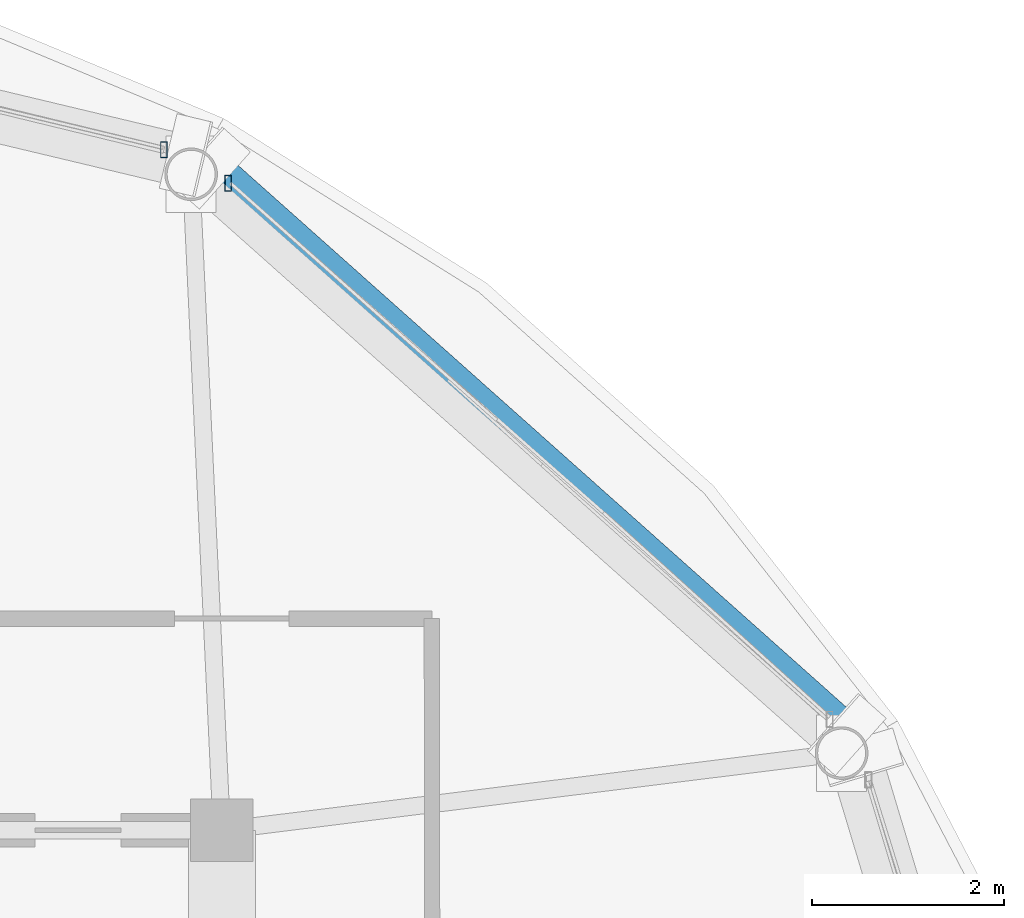
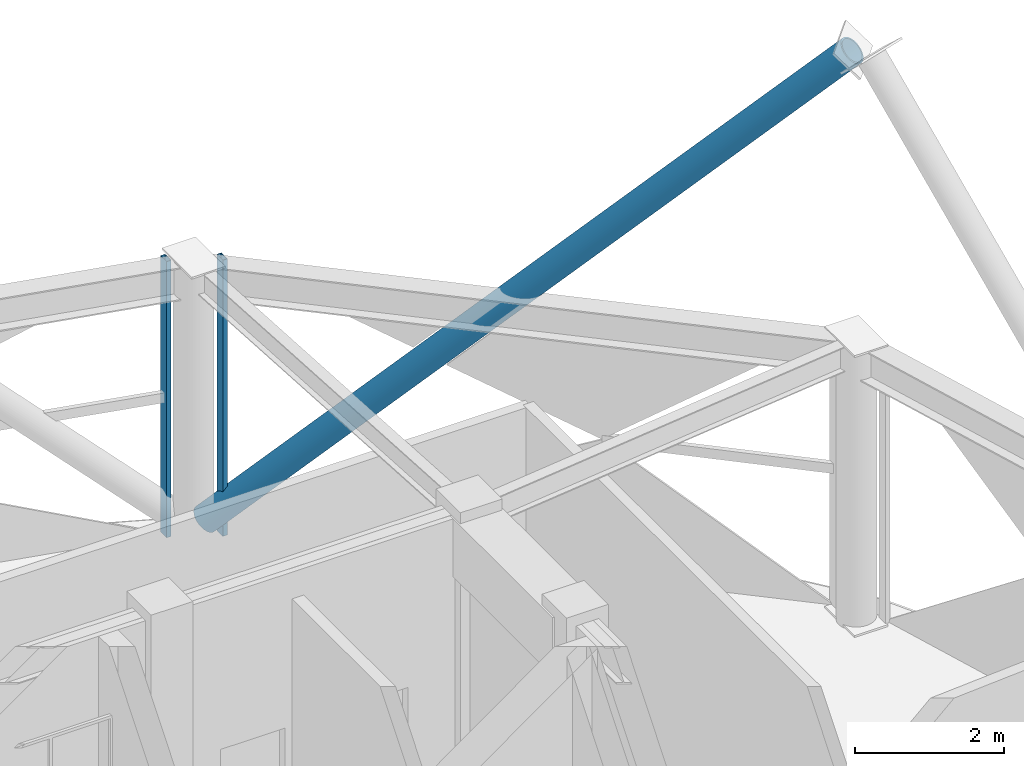
# One storey, part 13 of 27: 3 members, 2 elements without a shape of their own.
"""IFC4 building model written with IfcOpenShell, lengths in metres."""

from ifc_helpers import new_model, si_unit, direction, frame, origin, origin_2d, place, context, subcontext, project, spatial, hollow_rectangle, hollow_circle, extrude, material, layer, layer_set, material_profile, profile_set, type_object, element, aggregate, save


model = new_model("IFC4")

# Units and contexts
model_context = context("Model", 3, precision=1e-05, world=origin(), true_north=direction((0.0, 1.0)))
body_context = subcontext(model_context, "Body", "Model", "MODEL_VIEW")
ifc_project = project(units=[si_unit("LENGTHUNIT", "METRE"), si_unit("AREAUNIT", "SQUARE_METRE"), si_unit("VOLUMEUNIT", "CUBIC_METRE"), si_unit("PLANEANGLEUNIT", "RADIAN"), si_unit("MASSUNIT", "GRAM", prefix="KILO")], contexts=[model_context])

# Site, building, storey
site_placement = place(None, origin())
site = spatial("IfcSite", under=ifc_project, at=site_placement, CompositionType="ELEMENT")
building_placement = place(site_placement, origin())
building = spatial("IfcBuilding", under=site, at=building_placement, Name="Vantalir Tower", CompositionType="ELEMENT")
storey_placement = place(building_placement, frame((0.0, 0.0, 290.10009765625)))
storey = spatial("IfcBuildingStorey", under=building, at=storey_placement, Name="L73", CompositionType="ELEMENT", Elevation=290.10009765625)

# Curtain wall, member
ifc_material_1 = material(Name="Champagne-silver PVDF aluminium and double-silver Low-E glass", Category="aluminium")
ifc_layer = layer(ifc_material_1, 0.219970703125)
ifc_layer_set = layer_set([ifc_layer], Name="Champagne-silver PVDF aluminium and double-silver Low-E glass")
curtain_wall_type = type_object("IfcCurtainWallType", Name="CW-DIAMOND-Z4", PredefinedType="USERDEFINED", material=ifc_layer_set)
curtain_wall_1_placement = place(storey_placement, origin())
curtain_wall_1 = element("IfcCurtainWall", 1, at=curtain_wall_1_placement, inside=storey, type_object=curtain_wall_type, Name="L73 Quilted Pyramid-Diamond Curtain Wall S02", ObjectType="UNITISED CURTAIN WALL", PredefinedType="USERDEFINED")
ifc_material_2 = material(Name="Champagne-silver PVDF aluminium 6063-T6", Category="aluminium")
ifc_material_profile_1 = material_profile(ifc_material_2, hollow_rectangle(XDim=0.070068359375, YDim=0.1650390625, WallThickness=0.00390625, at=origin_2d()), Name="Champagne-silver PVDF aluminium 6063-T6")
ifc_profile_set_1 = profile_set([ifc_material_profile_1], Name="Champagne-silver PVDF aluminium 6063-T6")
member_type_1 = type_object("IfcMemberType", Name="CWM-165x70", PredefinedType="MULLION", material=ifc_profile_set_1)
member_1_placement = place(storey_placement, frame((41.166015625, 39.205078125, 0.044921875), z_axis=(0.0, 0.0, 1.0), x_axis=(1.0, 0.0, 0.0)))
member_1 = element("IfcMember", 2, at=member_1_placement, type_object=member_type_1, Name="CW-L73-S02 Mullion 2", PredefinedType="MULLION", context=body_context, shape_type="SweptSolid", body=[
    extrude(hollow_rectangle(XDim=0.070068359375, YDim=0.1650390625, WallThickness=0.00390625, at=origin_2d()), origin(), (0.0, 0.0, 1.0), 4.530029296875),
])
aggregate(curtain_wall_1, [member_1])

curtain_wall_2_placement = place(storey_placement, origin())
curtain_wall_2 = element("IfcCurtainWall", 3, at=curtain_wall_2_placement, inside=storey, type_object=curtain_wall_type, Name="L73 Quilted Pyramid-Diamond Curtain Wall S03", ObjectType="UNITISED CURTAIN WALL", PredefinedType="USERDEFINED")
member_2_placement = place(storey_placement, frame((40.49609375, 39.554931640625, 0.044921875), z_axis=(0.0, 0.0, 1.0), x_axis=(1.0, 0.0, 0.0)))
member_2 = element("IfcMember", 4, at=member_2_placement, type_object=member_type_1, Name="CW-L73-S03 Mullion 1", PredefinedType="MULLION", context=body_context, shape_type="SweptSolid", body=[
    extrude(hollow_rectangle(XDim=0.070068359375, YDim=0.1650390625, WallThickness=0.00390625, at=origin_2d()), origin(), (0.0, 0.0, 1.0), 4.530029296875),
])
aggregate(curtain_wall_2, [member_2])

# Member
ifc_material_3 = material(Name="Steel S460", Category="steel")
ifc_material_profile_2 = material_profile(ifc_material_3, hollow_circle(Radius=0.2099609375, WallThickness=0.02490234375, at=origin_2d()), Name="Steel S460")
ifc_profile_set_2 = profile_set([ifc_material_profile_2], Name="Steel S460")
member_type_2 = type_object("IfcMemberType", Name="MEM-DB-420x25", PredefinedType="BRACE", material=ifc_profile_set_2)
member_3_placement = place(storey_placement, frame((40.990966796875, 39.361083984375, 0.23583984375), z_axis=(0.525995447909, -0.46855638092, 0.709777223273), x_axis=(0.665160339717, 0.746700557431, 0.0)))
element("IfcMember", 5, at=member_3_placement, inside=storey, type_object=member_type_2, Name="L73 Perimeter S460 Diagrid Brace R07R", PredefinedType="BRACE", context=body_context, shape_type="SweptSolid", body=[
    extrude(hollow_circle(Radius=0.2099609375, WallThickness=0.02490234375, at=origin_2d()), origin(), (0.0, 0.0, 1.0), 12.606689453125),
])

save(model, "model.ifc")
